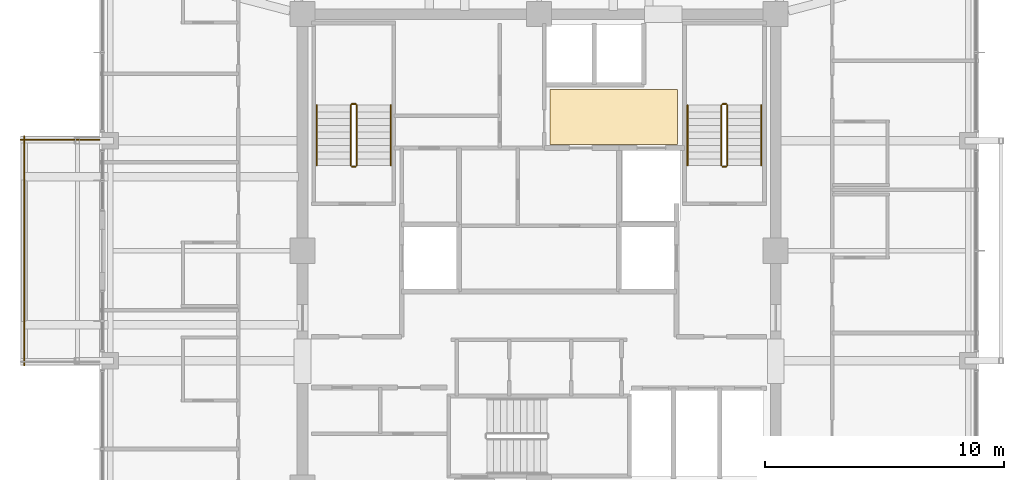
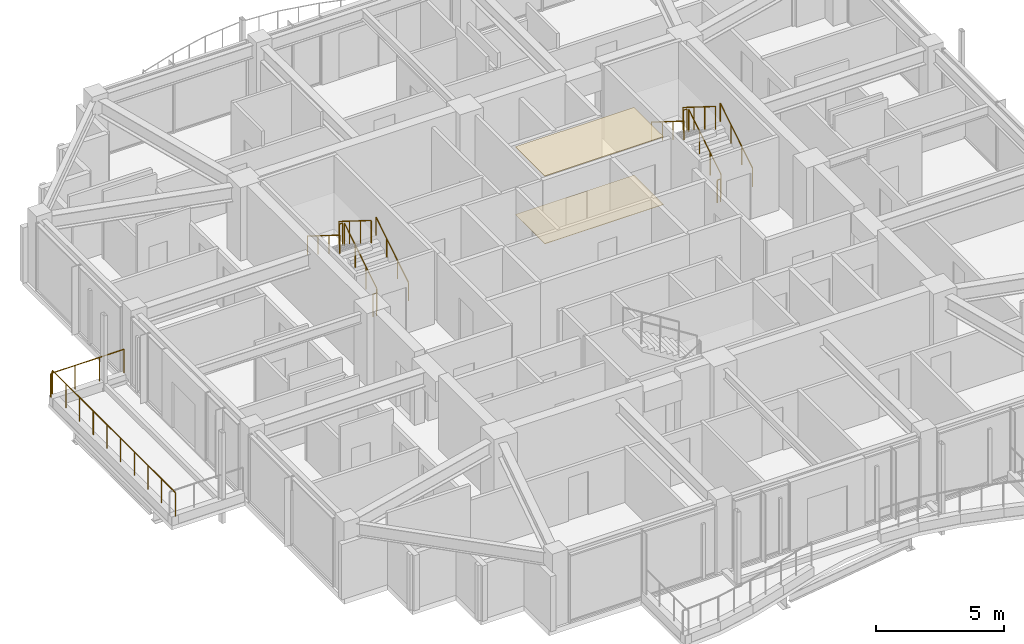
# One storey, part 33 of 34: 14 railings, 2 coverings.
"""IFC4 building model written with IfcOpenShell, lengths in metres."""

from ifc_helpers import new_model, si_unit, direction, frame, origin, origin_2d, place, context, subcontext, project, spatial, polyline, circle, outline, extrude, material, layer, layer_set, type_object, element, save


model = new_model("IFC4")

# Units and contexts
model_context = context("Model", 3, precision=1e-05, world=origin(), true_north=direction((0.0, 1.0)))
body_context = subcontext(model_context, "Body", "Model", "MODEL_VIEW")
ifc_project = project(units=[si_unit("LENGTHUNIT", "METRE"), si_unit("AREAUNIT", "SQUARE_METRE"), si_unit("VOLUMEUNIT", "CUBIC_METRE"), si_unit("PLANEANGLEUNIT", "RADIAN"), si_unit("MASSUNIT", "GRAM", prefix="KILO")], contexts=[model_context])

# Site, building, storey
site_placement = place(None, origin())
site = spatial("IfcSite", under=ifc_project, at=site_placement, CompositionType="ELEMENT")
building_placement = place(site_placement, origin())
building = spatial("IfcBuilding", under=site, at=building_placement, Name="Kolvaren Belvedere", CompositionType="ELEMENT")
storey_placement = place(building_placement, frame((0.0, 0.0, 240.89990234375)))
storey = spatial("IfcBuildingStorey", under=building, at=storey_placement, Name="L70", CompositionType="ELEMENT", Elevation=240.89990234375)

# Coverings
ifc_material_1 = material(Name="Acoustic perforated gypsum board", Category="gypsum")
ifc_layer_1 = layer(ifc_material_1, 0.02490234375)
ifc_layer_set_1 = layer_set([ifc_layer_1], Name="Acoustic perforated gypsum board")
covering_type_1 = type_object("IfcCoveringType", Name="COV-CEIL-GYP", PredefinedType="CEILING", material=ifc_layer_set_1)
covering_1_placement = place(storey_placement, frame((0.0, 0.0, 3.22509765625)))
element("IfcCovering", 1, at=covering_1_placement, inside=storey, type_object=covering_type_1, Name="L70 Lift Lobby Acoustic Baffle Ceiling", PredefinedType="CEILING", context=body_context, shape_type="SweptSolid", body=[
    extrude(outline(polyline([(0.449951171875, 4.449951171875), (5.800048828125, 4.449951171875), (5.800048828125, 6.75), (0.449951171875, 6.75), (0.449951171875, 4.449951171875)])), origin(), (0.0, 0.0, 1.0), 0.02490234375),
])
ifc_material_2 = material(Name="Engineered Pacific white oak", Category="timber")
ifc_layer_2 = layer(ifc_material_2, 0.02001953125)
ifc_layer_set_2 = layer_set([ifc_layer_2], Name="Engineered Pacific white oak")
covering_type_2 = type_object("IfcCoveringType", Name="COV-FLR-OAK", PredefinedType="FLOORING", material=ifc_layer_set_2)
covering_2_placement = place(storey_placement, origin())
element("IfcCovering", 2, at=covering_2_placement, inside=storey, type_object=covering_type_2, Name="L70 Lift Lobby Finish Flooring", PredefinedType="FLOORING", context=body_context, shape_type="SweptSolid", body=[
    extrude(outline(polyline([(0.449951171875, 4.449951171875), (5.800048828125, 4.449951171875), (5.800048828125, 6.75), (0.449951171875, 6.75), (0.449951171875, 4.449951171875)])), origin(), (0.0, 0.0, 1.0), 0.02001953125),
])

# Railings
ifc_material_3 = material(Name="Anodised pale-metal aluminium & laminated glass guard", Category="aluminium")
railing_type_1 = type_object("IfcRailingType", Name="RL-GUARD-1150", PredefinedType="GUARDRAIL", material=ifc_material_3)
railing_1_placement = place(storey_placement, frame((-18.39990234375, 4.639892578125, 0.35009765625)))
element("IfcRailing", 3, at=railing_1_placement, inside=storey, type_object=railing_type_1, Name="L70 Exterior Deck Safety Guard SPIRAL-11-W-3", PredefinedType="GUARDRAIL", context=body_context, shape_type="SweptSolid", body=[
    extrude(circle(Radius=0.02392578125, at=origin_2d()), frame((0.0, 0.0, 1.1259765625), z_axis=(-1.0, 0.0, 0.0), x_axis=(0.0, -1.0, 0.0)), (0.0, 0.0, 1.0), 3.300048828125),
    extrude(circle(Radius=0.02099609375, at=origin_2d()), origin(), (0.0, 0.0, 1.0), 1.101806640625),
    extrude(circle(Radius=0.02099609375, at=origin_2d()), frame((-1.10009765625, 0.0, 0.0)), (0.0, 0.0, 1.0), 1.101806640625),
    extrude(circle(Radius=0.02099609375, at=origin_2d()), frame((-2.199951171875, 0.0, 0.0)), (0.0, 0.0, 1.0), 1.101806640625),
    extrude(circle(Radius=0.02099609375, at=origin_2d()), frame((-3.300048828125, 0.0, 0.0)), (0.0, 0.0, 1.0), 1.101806640625),
])
railing_2_placement = place(storey_placement, frame((-21.5400390625, 4.800048828125, 0.35009765625)))
element("IfcRailing", 4, at=railing_2_placement, inside=storey, type_object=railing_type_1, Name="L70 Exterior Deck Safety Guard SPIRAL-11-W-4", PredefinedType="GUARDRAIL", context=body_context, shape_type="SweptSolid", body=[
    extrude(circle(Radius=0.02392578125, at=origin_2d()), frame((0.0, 0.0, 1.1259765625), z_axis=(0.0, -1.0, 0.0), x_axis=(1.0, 0.0, 0.0)), (0.0, 0.0, 1.0), 9.60009765625),
    extrude(circle(Radius=0.02099609375, at=origin_2d()), origin(), (0.0, 0.0, 1.0), 1.101806640625),
    extrude(circle(Radius=0.02099609375, at=origin_2d()), frame((0.0, -1.066650390625, 0.0)), (0.0, 0.0, 1.0), 1.101806640625),
    extrude(circle(Radius=0.02099609375, at=origin_2d()), frame((0.0, -2.13330078125, 0.0)), (0.0, 0.0, 1.0), 1.101806640625),
    extrude(circle(Radius=0.02099609375, at=origin_2d()), frame((0.0, -3.199951171875, 0.0)), (0.0, 0.0, 1.0), 1.101806640625),
    extrude(circle(Radius=0.02099609375, at=origin_2d()), frame((0.0, -4.2666015625, 0.0)), (0.0, 0.0, 1.0), 1.101806640625),
    extrude(circle(Radius=0.02099609375, at=origin_2d()), frame((0.0, -5.33349609375, 0.0)), (0.0, 0.0, 1.0), 1.101806640625),
    extrude(circle(Radius=0.02099609375, at=origin_2d()), frame((0.0, -6.400146484375, 0.0)), (0.0, 0.0, 1.0), 1.101806640625),
    extrude(circle(Radius=0.02099609375, at=origin_2d()), frame((0.0, -7.466796875, 0.0)), (0.0, 0.0, 1.0), 1.101806640625),
    extrude(circle(Radius=0.02099609375, at=origin_2d()), frame((0.0, -8.533447265625, 0.0)), (0.0, 0.0, 1.0), 1.101806640625),
    extrude(circle(Radius=0.02099609375, at=origin_2d()), frame((0.0, -9.60009765625, 0.0)), (0.0, 0.0, 1.0), 1.101806640625),
])
ifc_material_4 = material(Name="Brushed stainless-steel handrail", Category="steel")
railing_type_2 = type_object("IfcRailingType", Name="RL-HANDRAIL-920", PredefinedType="HANDRAIL", material=ifc_material_4)
railing_3_placement = place(storey_placement, frame((-6.2099609375, 3.570068359375, 0.175048828125)))
element("IfcRailing", 5, at=railing_3_placement, inside=storey, type_object=railing_type_2, Name="L70 ST-1 stair handrail 1", PredefinedType="HANDRAIL", context=body_context, shape_type="SweptSolid", body=[
    extrude(circle(Radius=0.02392578125, at=origin_2d()), frame((0.0, 0.0, 0.8759765625), z_axis=(0.0, 0.848007534815, 0.529984170421), x_axis=(-1.0, 0.0, 0.0)), (0.0, 0.0, 1.0), 2.9716796875),
    extrude(circle(Radius=0.02099609375, at=origin_2d()), origin(), (0.0, 0.0, 1.0), 0.851806640625),
    extrude(circle(Radius=0.02099609375, at=origin_2d()), frame((0.0, 0.840087890625, 0.52490234375)), (0.0, 0.0, 1.0), 0.851806640625),
    extrude(circle(Radius=0.02099609375, at=origin_2d()), frame((0.0, 1.679931640625, 1.050048828125)), (0.0, 0.0, 1.0), 0.851806640625),
    extrude(circle(Radius=0.02099609375, at=origin_2d()), frame((0.0, 2.52001953125, 1.574951171875)), (0.0, 0.0, 1.0), 0.851806640625),
])
railing_4_placement = place(storey_placement, frame((-9.300048828125, 6.090087890625, 1.925048828125)))
element("IfcRailing", 6, at=railing_4_placement, inside=storey, type_object=railing_type_2, Name="L70 ST-1 stair handrail 2", PredefinedType="HANDRAIL", context=body_context, shape_type="SweptSolid", body=[
    extrude(circle(Radius=0.02392578125, at=origin_2d()), frame((0.0, 0.0, 0.8759765625), z_axis=(0.0, -0.848007534815, 0.529984170421), x_axis=(1.0, 0.0, 0.0)), (0.0, 0.0, 1.0), 2.9716796875),
    extrude(circle(Radius=0.02099609375, at=origin_2d()), origin(), (0.0, 0.0, 1.0), 0.851806640625),
    extrude(circle(Radius=0.02099609375, at=origin_2d()), frame((0.0, -0.840087890625, 0.52490234375)), (0.0, 0.0, 1.0), 0.851806640625),
    extrude(circle(Radius=0.02099609375, at=origin_2d()), frame((0.0, -1.679931640625, 1.050048828125)), (0.0, 0.0, 1.0), 0.851806640625),
    extrude(circle(Radius=0.02099609375, at=origin_2d()), frame((0.0, -2.52001953125, 1.574951171875)), (0.0, 0.0, 1.0), 0.851806640625),
])
railing_5_placement = place(storey_placement, frame((9.300048828125, 3.570068359375, 0.175048828125)))
element("IfcRailing", 7, at=railing_5_placement, inside=storey, type_object=railing_type_2, Name="L70 ST-2 stair handrail 1", PredefinedType="HANDRAIL", context=body_context, shape_type="SweptSolid", body=[
    extrude(circle(Radius=0.02392578125, at=origin_2d()), frame((0.0, 0.0, 0.8759765625), z_axis=(0.0, 0.848007534815, 0.529984170421), x_axis=(-1.0, 0.0, 0.0)), (0.0, 0.0, 1.0), 2.9716796875),
    extrude(circle(Radius=0.02099609375, at=origin_2d()), origin(), (0.0, 0.0, 1.0), 0.851806640625),
    extrude(circle(Radius=0.02099609375, at=origin_2d()), frame((0.0, 0.840087890625, 0.52490234375)), (0.0, 0.0, 1.0), 0.851806640625),
    extrude(circle(Radius=0.02099609375, at=origin_2d()), frame((0.0, 1.679931640625, 1.050048828125)), (0.0, 0.0, 1.0), 0.851806640625),
    extrude(circle(Radius=0.02099609375, at=origin_2d()), frame((0.0, 2.52001953125, 1.574951171875)), (0.0, 0.0, 1.0), 0.851806640625),
])
railing_6_placement = place(storey_placement, frame((6.2099609375, 6.090087890625, 1.925048828125)))
element("IfcRailing", 8, at=railing_6_placement, inside=storey, type_object=railing_type_2, Name="L70 ST-2 stair handrail 2", PredefinedType="HANDRAIL", context=body_context, shape_type="SweptSolid", body=[
    extrude(circle(Radius=0.02392578125, at=origin_2d()), frame((0.0, 0.0, 0.8759765625), z_axis=(0.0, -0.848007534815, 0.529984170421), x_axis=(1.0, 0.0, 0.0)), (0.0, 0.0, 1.0), 2.9716796875),
    extrude(circle(Radius=0.02099609375, at=origin_2d()), origin(), (0.0, 0.0, 1.0), 0.851806640625),
    extrude(circle(Radius=0.02099609375, at=origin_2d()), frame((0.0, -0.840087890625, 0.52490234375)), (0.0, 0.0, 1.0), 0.851806640625),
    extrude(circle(Radius=0.02099609375, at=origin_2d()), frame((0.0, -1.679931640625, 1.050048828125)), (0.0, 0.0, 1.0), 0.851806640625),
    extrude(circle(Radius=0.02099609375, at=origin_2d()), frame((0.0, -2.52001953125, 1.574951171875)), (0.0, 0.0, 1.0), 0.851806640625),
])
ifc_material_5 = material(Name="Painted tubular steel stair guard", Category="steel")
railing_type_3 = type_object("IfcRailingType", Name="RL-STGUARD-1100", PredefinedType="GUARDRAIL", material=ifc_material_5)
railing_7_placement = place(storey_placement, frame((-7.6298828125, 3.570068359375, 0.175048828125)))
element("IfcRailing", 9, at=railing_7_placement, inside=storey, type_object=railing_type_3, Name="L70 ST-1 stair guard 1", PredefinedType="GUARDRAIL", context=body_context, shape_type="SweptSolid", body=[
    extrude(circle(Radius=0.02392578125, at=origin_2d()), frame((0.0, 0.0, 1.076171875), z_axis=(0.0, 0.848007534815, 0.529984170421), x_axis=(-1.0, 0.0, 0.0)), (0.0, 0.0, 1.0), 2.9716796875),
    extrude(circle(Radius=0.02099609375, at=origin_2d()), origin(), (0.0, 0.0, 1.0), 1.052001953125),
    extrude(circle(Radius=0.02099609375, at=origin_2d()), frame((0.0, 0.840087890625, 0.52490234375)), (0.0, 0.0, 1.0), 1.052001953125),
    extrude(circle(Radius=0.02099609375, at=origin_2d()), frame((0.0, 1.679931640625, 1.050048828125)), (0.0, 0.0, 1.0), 1.052001953125),
    extrude(circle(Radius=0.02099609375, at=origin_2d()), frame((0.0, 2.52001953125, 1.574951171875)), (0.0, 0.0, 1.0), 1.052001953125),
])
railing_8_placement = place(storey_placement, frame((-7.679931640625, 6.139892578125, 1.75)))
element("IfcRailing", 10, at=railing_8_placement, inside=storey, type_object=railing_type_3, Name="L70 ST-1 stair guard 2", PredefinedType="GUARDRAIL", context=body_context, shape_type="SweptSolid", body=[
    extrude(circle(Radius=0.02392578125, at=origin_2d()), frame((0.0, 0.0, 1.076171875), z_axis=(-1.0, 0.0, 0.0), x_axis=(0.0, -1.0, 0.0)), (0.0, 0.0, 1.0), 0.150146484375),
    extrude(circle(Radius=0.02099609375, at=origin_2d()), origin(), (0.0, 0.0, 1.0), 1.052001953125),
    extrude(circle(Radius=0.02099609375, at=origin_2d()), frame((-0.150146484375, 0.0, 0.0)), (0.0, 0.0, 1.0), 1.052001953125),
])
railing_9_placement = place(storey_placement, frame((-7.8798828125, 6.090087890625, 1.925048828125)))
element("IfcRailing", 11, at=railing_9_placement, inside=storey, type_object=railing_type_3, Name="L70 ST-1 stair guard 3", PredefinedType="GUARDRAIL", context=body_context, shape_type="SweptSolid", body=[
    extrude(circle(Radius=0.02392578125, at=origin_2d()), frame((0.0, 0.0, 1.076171875), z_axis=(0.0, -0.848007534815, 0.529984170421), x_axis=(1.0, 0.0, 0.0)), (0.0, 0.0, 1.0), 2.9716796875),
    extrude(circle(Radius=0.02099609375, at=origin_2d()), origin(), (0.0, 0.0, 1.0), 1.052001953125),
    extrude(circle(Radius=0.02099609375, at=origin_2d()), frame((0.0, -0.840087890625, 0.52490234375)), (0.0, 0.0, 1.0), 1.052001953125),
    extrude(circle(Radius=0.02099609375, at=origin_2d()), frame((0.0, -1.679931640625, 1.050048828125)), (0.0, 0.0, 1.0), 1.052001953125),
    extrude(circle(Radius=0.02099609375, at=origin_2d()), frame((0.0, -2.52001953125, 1.574951171875)), (0.0, 0.0, 1.0), 1.052001953125),
])
railing_10_placement = place(storey_placement, frame((-7.679931640625, 3.52001953125, 0.0)))
element("IfcRailing", 12, at=railing_10_placement, inside=storey, type_object=railing_type_3, Name="L70 ST-1 stair guard 4", PredefinedType="GUARDRAIL", context=body_context, shape_type="SweptSolid", body=[
    extrude(circle(Radius=0.02392578125, at=origin_2d()), frame((0.0, 0.0, 1.076171875), z_axis=(-1.0, 0.0, 0.0), x_axis=(0.0, -1.0, 0.0)), (0.0, 0.0, 1.0), 0.150146484375),
    extrude(circle(Radius=0.02099609375, at=origin_2d()), origin(), (0.0, 0.0, 1.0), 1.052001953125),
    extrude(circle(Radius=0.02099609375, at=origin_2d()), frame((-0.150146484375, 0.0, 0.0)), (0.0, 0.0, 1.0), 1.052001953125),
])
railing_11_placement = place(storey_placement, frame((7.8798828125, 3.570068359375, 0.175048828125)))
element("IfcRailing", 13, at=railing_11_placement, inside=storey, type_object=railing_type_3, Name="L70 ST-2 stair guard 1", PredefinedType="GUARDRAIL", context=body_context, shape_type="SweptSolid", body=[
    extrude(circle(Radius=0.02392578125, at=origin_2d()), frame((0.0, 0.0, 1.076171875), z_axis=(0.0, 0.848007534815, 0.529984170421), x_axis=(-1.0, 0.0, 0.0)), (0.0, 0.0, 1.0), 2.9716796875),
    extrude(circle(Radius=0.02099609375, at=origin_2d()), origin(), (0.0, 0.0, 1.0), 1.052001953125),
    extrude(circle(Radius=0.02099609375, at=origin_2d()), frame((0.0, 0.840087890625, 0.52490234375)), (0.0, 0.0, 1.0), 1.052001953125),
    extrude(circle(Radius=0.02099609375, at=origin_2d()), frame((0.0, 1.679931640625, 1.050048828125)), (0.0, 0.0, 1.0), 1.052001953125),
    extrude(circle(Radius=0.02099609375, at=origin_2d()), frame((0.0, 2.52001953125, 1.574951171875)), (0.0, 0.0, 1.0), 1.052001953125),
])
railing_12_placement = place(storey_placement, frame((7.830078125, 6.139892578125, 1.75)))
element("IfcRailing", 14, at=railing_12_placement, inside=storey, type_object=railing_type_3, Name="L70 ST-2 stair guard 2", PredefinedType="GUARDRAIL", context=body_context, shape_type="SweptSolid", body=[
    extrude(circle(Radius=0.02392578125, at=origin_2d()), frame((0.0, 0.0, 1.076171875), z_axis=(-1.0, 0.0, 0.0), x_axis=(0.0, -1.0, 0.0)), (0.0, 0.0, 1.0), 0.150146484375),
    extrude(circle(Radius=0.02099609375, at=origin_2d()), origin(), (0.0, 0.0, 1.0), 1.052001953125),
    extrude(circle(Radius=0.02099609375, at=origin_2d()), frame((-0.150146484375, 0.0, 0.0)), (0.0, 0.0, 1.0), 1.052001953125),
])
railing_13_placement = place(storey_placement, frame((7.6298828125, 6.090087890625, 1.925048828125)))
element("IfcRailing", 15, at=railing_13_placement, inside=storey, type_object=railing_type_3, Name="L70 ST-2 stair guard 3", PredefinedType="GUARDRAIL", context=body_context, shape_type="SweptSolid", body=[
    extrude(circle(Radius=0.02392578125, at=origin_2d()), frame((0.0, 0.0, 1.076171875), z_axis=(0.0, -0.848007534815, 0.529984170421), x_axis=(1.0, 0.0, 0.0)), (0.0, 0.0, 1.0), 2.9716796875),
    extrude(circle(Radius=0.02099609375, at=origin_2d()), origin(), (0.0, 0.0, 1.0), 1.052001953125),
    extrude(circle(Radius=0.02099609375, at=origin_2d()), frame((0.0, -0.840087890625, 0.52490234375)), (0.0, 0.0, 1.0), 1.052001953125),
    extrude(circle(Radius=0.02099609375, at=origin_2d()), frame((0.0, -1.679931640625, 1.050048828125)), (0.0, 0.0, 1.0), 1.052001953125),
    extrude(circle(Radius=0.02099609375, at=origin_2d()), frame((0.0, -2.52001953125, 1.574951171875)), (0.0, 0.0, 1.0), 1.052001953125),
])
railing_14_placement = place(storey_placement, frame((7.830078125, 3.52001953125, 0.0)))
element("IfcRailing", 16, at=railing_14_placement, inside=storey, type_object=railing_type_3, Name="L70 ST-2 stair guard 4", PredefinedType="GUARDRAIL", context=body_context, shape_type="SweptSolid", body=[
    extrude(circle(Radius=0.02392578125, at=origin_2d()), frame((0.0, 0.0, 1.076171875), z_axis=(-1.0, 0.0, 0.0), x_axis=(0.0, -1.0, 0.0)), (0.0, 0.0, 1.0), 0.150146484375),
    extrude(circle(Radius=0.02099609375, at=origin_2d()), origin(), (0.0, 0.0, 1.0), 1.052001953125),
    extrude(circle(Radius=0.02099609375, at=origin_2d()), frame((-0.150146484375, 0.0, 0.0)), (0.0, 0.0, 1.0), 1.052001953125),
])

save(model, "model.ifc")
